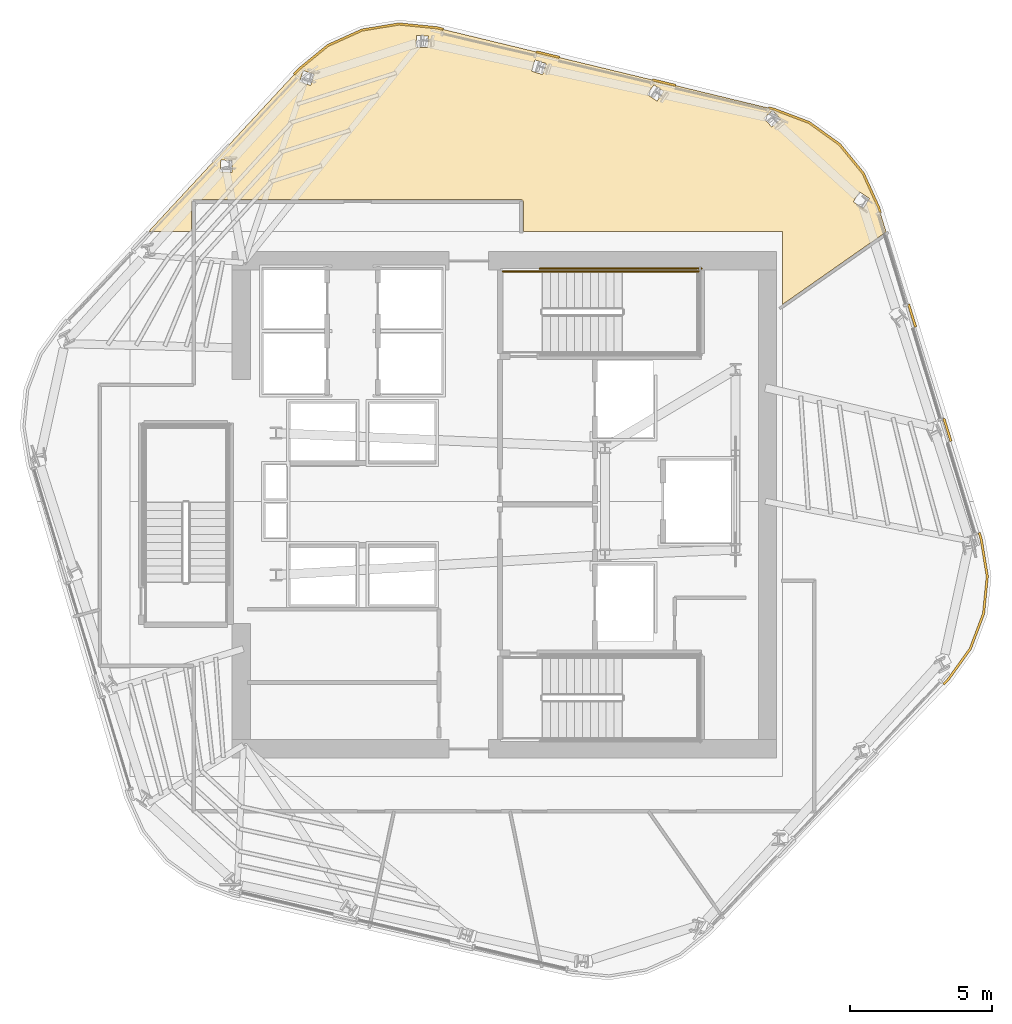
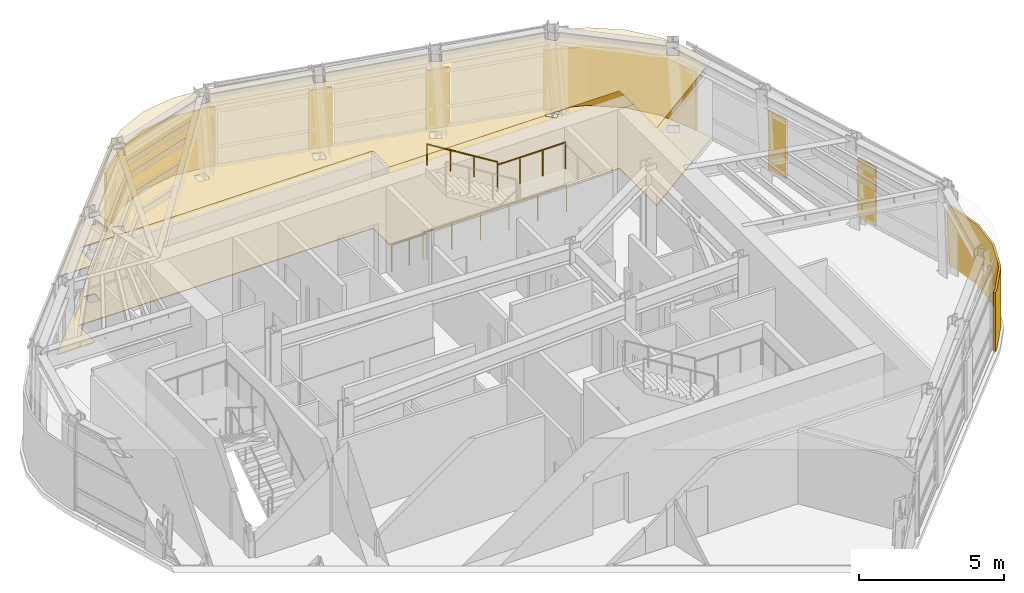
# One storey, part 13 of 13: 9 coverings, 4 railings.
"""IFC4 building model written with IfcOpenShell, lengths in metres."""

from ifc_helpers import new_model, si_unit, direction, frame, origin, origin_2d, place, context, subcontext, project, spatial, polyline, circle, outline, extrude, material, layer, layer_set, type_object, element, save


model = new_model("IFC4")

# Units and contexts
model_context = context("Model", 3, precision=1e-05, world=origin(), true_north=direction((0.0, 1.0)))
body_context = subcontext(model_context, "Body", "Model", "MODEL_VIEW")
ifc_project = project(units=[si_unit("LENGTHUNIT", "METRE"), si_unit("AREAUNIT", "SQUARE_METRE"), si_unit("VOLUMEUNIT", "CUBIC_METRE"), si_unit("PLANEANGLEUNIT", "RADIAN"), si_unit("MASSUNIT", "GRAM", prefix="KILO")], contexts=[model_context])

# Site, building, storey
site_placement = place(None, origin())
site = spatial("IfcSite", under=ifc_project, at=site_placement, CompositionType="ELEMENT")
building_placement = place(site_placement, origin())
building = spatial("IfcBuilding", under=site, at=building_placement, Name="Valkerne Bourse Tower", CompositionType="ELEMENT")
storey_placement = place(building_placement, frame((0.0, 0.0, 224.60009765625)))
storey = spatial("IfcBuildingStorey", under=building, at=storey_placement, Name="L57", CompositionType="ELEMENT", Elevation=224.60009765625)

# Coverings
ifc_material_1 = material(Name="Mineral Fiber Acoustic Ceiling Tile", Category="acoustic")
ifc_layer_1 = layer(ifc_material_1, 0.02490234375)
ifc_layer_set_1 = layer_set([ifc_layer_1], Name="Mineral Fiber Acoustic Ceiling Tile")
covering_type_1 = type_object("IfcCoveringType", Name="COV-CEIL-ACT", PredefinedType="CEILING", material=ifc_layer_set_1)
covering_1_placement = place(storey_placement, frame((0.0, 0.0, 3.25)))
element("IfcCovering", 1, at=covering_1_placement, inside=storey, type_object=covering_type_1, Name="L57 Suspended Ceiling 09", PredefinedType="CEILING", context=body_context, shape_type="SweptSolid", body=[
    extrude(outline(polyline([(39.556396484375, 42.21875), (40.58447265625, 43.060302734375), (41.787109375, 43.603515625), (43.08935546875, 43.816650390625), (44.411376953125, 43.684814453125), (56.29345703125, 40.81494140625), (57.537109375, 40.344970703125), (58.608642578125, 39.574951171875), (59.444580078125, 38.5537109375), (59.99169921875, 37.342041015625), (60.254150390625, 36.49267578125), (56.60009765625, 33.93408203125), (56.60009765625, 36.5), (47.468994140625, 36.5), (47.468994140625, 37.564697265625), (47.447021484375, 37.61083984375), (47.404541015625, 37.62890625), (35.849609375, 37.62890625), (35.82080078125, 37.62255859375), (35.791015625, 37.595947265625), (35.781005859375, 37.560546875), (35.781005859375, 36.5), (34.256591796875, 36.5), (39.556396484375, 42.21875)]), holes=[polyline([(37.194580078125, 38.588134765625), (37.2216796875, 39.001220703125), (36.81103515625, 39.029296875), (36.809326171875, 39.027587890625), (36.7822265625, 38.614501953125), (37.192626953125, 38.5869140625), (37.194580078125, 38.588134765625)]), polyline([(39.97412109375, 41.655517578125), (40.10498046875, 42.04833984375), (39.715087890625, 42.179443359375), (39.712890625, 42.178466796875), (39.581787109375, 41.78564453125), (39.9716796875, 41.654541015625), (39.97412109375, 41.655517578125)]), polyline([(44.1201171875, 43.3955078125), (43.707275390625, 43.419921875), (43.704833984375, 43.419677734375), (43.680908203125, 43.008544921875), (44.093505859375, 42.98388671875), (44.095947265625, 42.984375), (44.1201171875, 43.3955078125)]), polyline([(59.66650390625, 37.673095703125), (59.322998046875, 37.898681640625), (59.094970703125, 37.552978515625), (59.0966796875, 37.551025390625), (59.43994140625, 37.3251953125), (59.668212890625, 37.671142578125), (59.66650390625, 37.673095703125)]), polyline([(56.258544921875, 40.773681640625), (56.256591796875, 40.775146484375), (55.9482421875, 40.502197265625), (56.221923828125, 40.1923828125), (56.223876953125, 40.19091796875), (56.5322265625, 40.4638671875), (56.258544921875, 40.773681640625)]), polyline([(52.07080078125, 41.67529296875), (52.06884765625, 41.676025390625), (51.839599609375, 41.333740234375), (52.18310546875, 41.103515625), (52.185302734375, 41.1025390625), (52.414306640625, 41.44482421875), (52.07080078125, 41.67529296875)]), polyline([(48.275146484375, 42.42724609375), (47.8818359375, 42.5556640625), (47.879638671875, 42.5556640625), (47.752197265625, 42.1640625), (48.1455078125, 42.03564453125), (48.147705078125, 42.03564453125), (48.275146484375, 42.42724609375)])]), origin(), (0.0, 0.0, 1.0), 0.02490234375),
])
ifc_material_2 = material(Name="Bronze Anodised Aluminium AA 6063-T6", Category="aluminium")
ifc_layer_2 = layer(ifc_material_2, 0.06005859375)
ifc_layer_set_2 = layer_set([ifc_layer_2], Name="Bronze Anodised Aluminium AA 6063-T6")
covering_type_2 = type_object("IfcCoveringType", Name="COV-CRN-ALUM", PredefinedType="CLADDING", material=ifc_layer_set_2)
covering_2_placement = place(storey_placement, origin())
element("IfcCovering", 2, at=covering_2_placement, inside=storey, type_object=covering_type_2, Name="L57 Wind-Shaped Corner Aluminium Cladding 01", PredefinedType="CLADDING", context=body_context, shape_type="SweptSolid", body=[
    extrude(outline(polyline([(63.86083984375, 24.35400390625), (63.728515625, 23.029296875), (63.258056640625, 21.7841796875), (62.4775390625, 20.697998046875), (62.31201171875, 20.524169921875), (62.253662109375, 20.578857421875), (62.416015625, 20.749267578125), (63.18701171875, 21.822509765625), (63.64990234375, 23.0478515625), (63.780029296875, 24.3515625), (63.566650390625, 25.655517578125), (63.4970703125, 25.880126953125), (63.57373046875, 25.9033203125), (63.64453125, 25.673828125), (63.86083984375, 24.35400390625)])), origin(), (0.0, 0.0, 1.0), 2.5),
])
covering_3_placement = place(storey_placement, origin())
element("IfcCovering", 3, at=covering_3_placement, inside=storey, type_object=covering_type_2, Name="L57 Wind-Shaped Corner Aluminium Cladding 13", PredefinedType="CLADDING", context=body_context, shape_type="SweptSolid", body=[
    extrude(outline(polyline([(39.526123046875, 42.2509765625), (40.56103515625, 43.09814453125), (41.7744140625, 43.645751953125), (43.087890625, 43.861083984375), (44.418701171875, 43.728271484375), (44.65234375, 43.671875), (44.634033203125, 43.593994140625), (44.405517578125, 43.649169921875), (43.090576171875, 43.7802734375), (41.797607421875, 43.568603515625), (40.603759765625, 43.029541015625), (39.5810546875, 42.192626953125), (39.421142578125, 42.02001953125), (39.36279296875, 42.07470703125), (39.526123046875, 42.2509765625)])), origin(), (0.0, 0.0, 1.0), 2.5),
])
covering_4_placement = place(storey_placement, origin())
element("IfcCovering", 4, at=covering_4_placement, inside=storey, type_object=covering_type_2, Name="L57 Wind-Shaped Corner Aluminium Cladding 14", PredefinedType="CLADDING", context=body_context, shape_type="SweptSolid", body=[
    extrude(outline(polyline([(48.74658203125, 42.682861328125), (48.728271484375, 42.60498046875), (47.911865234375, 42.80224609375), (47.93017578125, 42.880126953125), (48.74658203125, 42.682861328125)])), origin(), (0.0, 0.0, 1.0), 2.5),
])
covering_5_placement = place(storey_placement, origin())
element("IfcCovering", 5, at=covering_5_placement, inside=storey, type_object=covering_type_2, Name="L57 Wind-Shaped Corner Aluminium Cladding 15", PredefinedType="CLADDING", context=body_context, shape_type="SweptSolid", body=[
    extrude(outline(polyline([(52.841064453125, 41.694091796875), (52.82275390625, 41.6162109375), (52.006103515625, 41.8134765625), (52.0244140625, 41.89111328125), (52.841064453125, 41.694091796875)])), origin(), (0.0, 0.0, 1.0), 2.5),
])
covering_6_placement = place(storey_placement, origin())
element("IfcCovering", 6, at=covering_6_placement, inside=storey, type_object=covering_type_2, Name="L57 Wind-Shaped Corner Aluminium Cladding 16", PredefinedType="CLADDING", context=body_context, shape_type="SweptSolid", body=[
    extrude(outline(polyline([(56.306396484375, 40.857177734375), (57.55810546875, 40.384033203125), (58.63916015625, 39.607421875), (59.482177734375, 38.5771484375), (60.03271484375, 37.357666015625), (60.08984375, 37.17333984375), (60.01318359375, 37.150390625), (59.957763671875, 37.3291015625), (59.41357421875, 38.53466796875), (58.583740234375, 39.548583984375), (57.52001953125, 40.31298828125), (56.28271484375, 40.780517578125), (56.1005859375, 40.824462890625), (56.118896484375, 40.90234375), (56.306396484375, 40.857177734375)])), origin(), (0.0, 0.0, 1.0), 2.5),
])
covering_7_placement = place(storey_placement, origin())
element("IfcCovering", 7, at=covering_7_placement, inside=storey, type_object=covering_type_2, Name="L57 Wind-Shaped Corner Aluminium Cladding 17", PredefinedType="CLADDING", context=body_context, shape_type="SweptSolid", body=[
    extrude(outline(polyline([(61.333740234375, 33.149169921875), (61.257080078125, 33.1259765625), (61.009033203125, 33.928466796875), (61.085693359375, 33.95166015625), (61.333740234375, 33.149169921875)])), origin(), (0.0, 0.0, 1.0), 2.5),
])
covering_8_placement = place(storey_placement, origin())
element("IfcCovering", 8, at=covering_8_placement, inside=storey, type_object=covering_type_2, Name="L57 Wind-Shaped Corner Aluminium Cladding 18", PredefinedType="CLADDING", context=body_context, shape_type="SweptSolid", body=[
    extrude(outline(polyline([(62.577880859375, 29.125), (62.501220703125, 29.101806640625), (62.253173828125, 29.904296875), (62.32958984375, 29.927490234375), (62.577880859375, 29.125)])), origin(), (0.0, 0.0, 1.0), 2.5),
])
ifc_material_3 = material(Name="Polished Granite Stone", Category="masonry")
ifc_layer_3 = layer(ifc_material_3, 0.030029296875)
ifc_layer_set_3 = layer_set([ifc_layer_3], Name="Polished Granite Stone")
covering_type_3 = type_object("IfcCoveringType", Name="COV-FLR-TERRAZZO", PredefinedType="FLOORING", material=ifc_layer_set_3)
covering_9_placement = place(storey_placement, origin())
element("IfcCovering", 9, at=covering_9_placement, inside=storey, type_object=covering_type_3, Name="L57 Floor Finish 09", PredefinedType="FLOORING", context=body_context, shape_type="SweptSolid", body=[
    extrude(outline(polyline([(39.556396484375, 42.21875), (40.58447265625, 43.060302734375), (41.787109375, 43.603515625), (43.08935546875, 43.816650390625), (44.411376953125, 43.684814453125), (56.29345703125, 40.81494140625), (57.537109375, 40.344970703125), (58.608642578125, 39.574951171875), (59.444580078125, 38.5537109375), (59.99169921875, 37.342041015625), (60.254150390625, 36.49267578125), (56.60009765625, 33.93408203125), (56.60009765625, 36.5), (47.468994140625, 36.5), (47.468994140625, 37.564697265625), (47.447021484375, 37.61083984375), (47.404541015625, 37.62890625), (35.849609375, 37.62890625), (35.82080078125, 37.62255859375), (35.791015625, 37.595947265625), (35.781005859375, 37.560546875), (35.781005859375, 36.5), (34.256591796875, 36.5), (39.556396484375, 42.21875)]), holes=[polyline([(37.194580078125, 38.588134765625), (37.2216796875, 39.001220703125), (36.81103515625, 39.029296875), (36.809326171875, 39.027587890625), (36.7822265625, 38.614501953125), (37.192626953125, 38.5869140625), (37.194580078125, 38.588134765625)]), polyline([(39.97412109375, 41.655517578125), (40.10498046875, 42.04833984375), (39.715087890625, 42.179443359375), (39.712890625, 42.178466796875), (39.581787109375, 41.78564453125), (39.9716796875, 41.654541015625), (39.97412109375, 41.655517578125)]), polyline([(44.1201171875, 43.3955078125), (43.707275390625, 43.419921875), (43.704833984375, 43.419677734375), (43.680908203125, 43.008544921875), (44.093505859375, 42.98388671875), (44.095947265625, 42.984375), (44.1201171875, 43.3955078125)]), polyline([(59.66650390625, 37.673095703125), (59.322998046875, 37.898681640625), (59.094970703125, 37.552978515625), (59.0966796875, 37.551025390625), (59.43994140625, 37.3251953125), (59.668212890625, 37.671142578125), (59.66650390625, 37.673095703125)]), polyline([(56.258544921875, 40.773681640625), (56.256591796875, 40.775146484375), (55.9482421875, 40.502197265625), (56.221923828125, 40.1923828125), (56.223876953125, 40.19091796875), (56.5322265625, 40.4638671875), (56.258544921875, 40.773681640625)]), polyline([(52.07080078125, 41.67529296875), (52.06884765625, 41.676025390625), (51.839599609375, 41.333740234375), (52.18310546875, 41.103515625), (52.185302734375, 41.1025390625), (52.414306640625, 41.44482421875), (52.07080078125, 41.67529296875)]), polyline([(48.275146484375, 42.42724609375), (47.8818359375, 42.5556640625), (47.879638671875, 42.5556640625), (47.752197265625, 42.1640625), (48.1455078125, 42.03564453125), (48.147705078125, 42.03564453125), (48.275146484375, 42.42724609375)])]), origin(), (0.0, 0.0, 1.0), 0.02978515625),
])

# Railings
ifc_material_4 = material(Name="Galvanised Painted Steel", Category="steel")
railing_type_1 = type_object("IfcRailingType", Name="RLG-ST-GUARD-1120", PredefinedType="GUARDRAIL", material=ifc_material_4)
railing_1_placement = place(storey_placement, frame((50.949951171875, 35.10009765625, 1.89990234375)))
element("IfcRailing", 10, at=railing_1_placement, inside=storey, type_object=railing_type_1, Name="L57 ST-2 stair guard 4", PredefinedType="GUARDRAIL", context=body_context, shape_type="SweptSolid", body=[
    extrude(circle(Radius=0.02392578125, at=origin_2d()), frame((0.0, 0.0, 1.09619140625), z_axis=(1.0, 0.0, 0.0), x_axis=(0.0, 1.0, 0.0)), (0.0, 0.0, 1.0), 2.699951171875),
    extrude(circle(Radius=0.02099609375, at=origin_2d()), origin(), (0.0, 0.0, 1.0), 1.072021484375),
    extrude(circle(Radius=0.02099609375, at=origin_2d()), frame((0.89990234375, 0.0, 0.0)), (0.0, 0.0, 1.0), 1.072021484375),
    extrude(circle(Radius=0.02099609375, at=origin_2d()), frame((1.800048828125, 0.0, 0.0)), (0.0, 0.0, 1.0), 1.072021484375),
    extrude(circle(Radius=0.02099609375, at=origin_2d()), frame((2.699951171875, 0.0, 0.0)), (0.0, 0.0, 1.0), 1.072021484375),
])
railing_2_placement = place(storey_placement, frame((46.75, 35.10009765625, 0.0)))
element("IfcRailing", 11, at=railing_2_placement, inside=storey, type_object=railing_type_1, Name="L57 ST-2 stair guard 9", PredefinedType="GUARDRAIL", context=body_context, shape_type="SweptSolid", body=[
    extrude(circle(Radius=0.02392578125, at=origin_2d()), frame((0.0, 0.0, 1.09619140625), z_axis=(1.0, 0.0, 0.0), x_axis=(0.0, 1.0, 0.0)), (0.0, 0.0, 1.0), 1.39990234375),
    extrude(circle(Radius=0.02099609375, at=origin_2d()), origin(), (0.0, 0.0, 1.0), 1.072021484375),
    extrude(circle(Radius=0.02099609375, at=origin_2d()), frame((0.699951171875, 0.0, 0.0)), (0.0, 0.0, 1.0), 1.072021484375),
    extrude(circle(Radius=0.02099609375, at=origin_2d()), frame((1.39990234375, 0.0, 0.0)), (0.0, 0.0, 1.0), 1.072021484375),
])
railing_3_placement = place(storey_placement, frame((48.050048828125, 35.199951171875, 0.0)))
element("IfcRailing", 12, at=railing_3_placement, inside=storey, type_object=railing_type_1, Name="L57 ST-2 stair guard 11", PredefinedType="GUARDRAIL", context=body_context, shape_type="SweptSolid", body=[
    extrude(circle(Radius=0.02392578125, at=origin_2d()), frame((0.0, 0.0, 1.09619140625), z_axis=(1.0, 0.0, 0.0), x_axis=(0.0, 1.0, 0.0)), (0.0, 0.0, 1.0), 5.699951171875),
    extrude(circle(Radius=0.02099609375, at=origin_2d()), origin(), (0.0, 0.0, 1.0), 1.072021484375),
    extrude(circle(Radius=0.02099609375, at=origin_2d()), frame((1.139892578125, 0.0, 0.0)), (0.0, 0.0, 1.0), 1.072021484375),
    extrude(circle(Radius=0.02099609375, at=origin_2d()), frame((2.280029296875, 0.0, 0.0)), (0.0, 0.0, 1.0), 1.072021484375),
    extrude(circle(Radius=0.02099609375, at=origin_2d()), frame((3.419921875, 0.0, 0.0)), (0.0, 0.0, 1.0), 1.072021484375),
    extrude(circle(Radius=0.02099609375, at=origin_2d()), frame((4.56005859375, 0.0, 0.0)), (0.0, 0.0, 1.0), 1.072021484375),
    extrude(circle(Radius=0.02099609375, at=origin_2d()), frame((5.699951171875, 0.0, 0.0)), (0.0, 0.0, 1.0), 1.072021484375),
])
ifc_material_5 = material(Name="Stainless Steel AISI 316", Category="steel")
railing_type_2 = type_object("IfcRailingType", Name="RLG-ST-HANDRAIL-900", PredefinedType="HANDRAIL", material=ifc_material_5)
railing_4_placement = place(storey_placement, frame((50.949951171875, 35.10009765625, 2.245361328125)))
element("IfcRailing", 13, at=railing_4_placement, inside=storey, type_object=railing_type_2, Name="L57 ST-2 stair handrail 2", PredefinedType="HANDRAIL", context=body_context, shape_type="SweptSolid", body=[
    extrude(circle(Radius=0.02392578125, at=origin_2d()), frame((0.0, 0.0, 0.8759765625), z_axis=(-0.851089632645, 0.0, 0.525020415988), x_axis=(0.0, -1.0, 0.0)), (0.0, 0.0, 1.0), 3.2900390625),
    extrude(circle(Radius=0.02099609375, at=origin_2d()), origin(), (0.0, 0.0, 1.0), 0.851806640625),
    extrude(circle(Radius=0.02099609375, at=origin_2d()), frame((-0.933349609375, 0.0, 0.57568359375)), (0.0, 0.0, 1.0), 0.851806640625),
    extrude(circle(Radius=0.02099609375, at=origin_2d()), frame((-1.86669921875, 0.0, 1.151611328125)), (0.0, 0.0, 1.0), 0.851806640625),
    extrude(circle(Radius=0.02099609375, at=origin_2d()), frame((-2.800048828125, 0.0, 1.727294921875)), (0.0, 0.0, 1.0), 0.851806640625),
])

save(model, "model.ifc")
